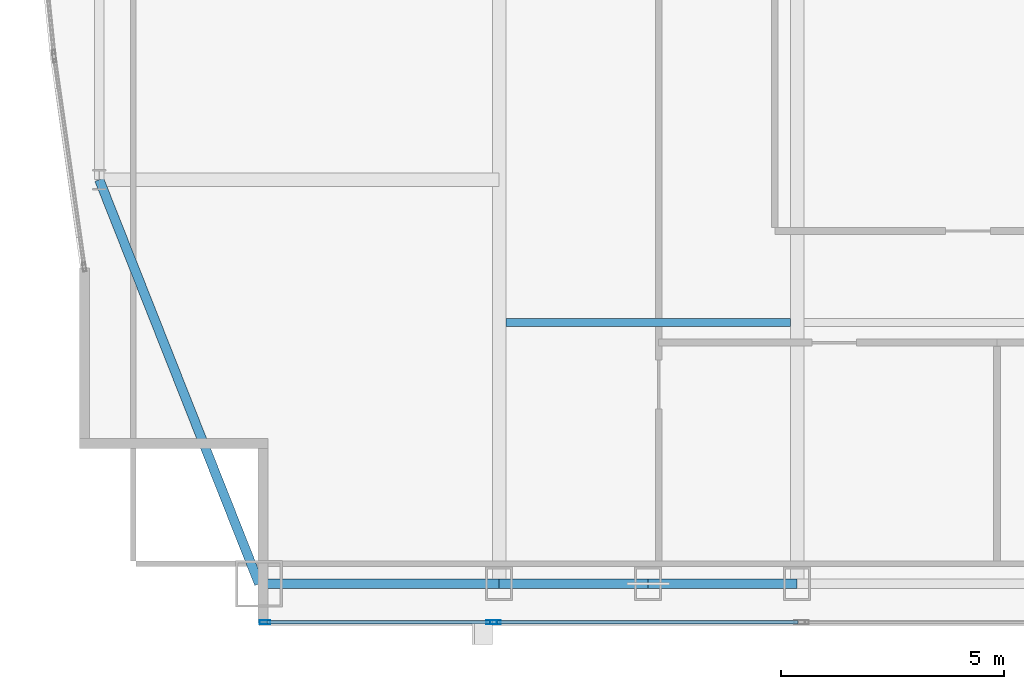
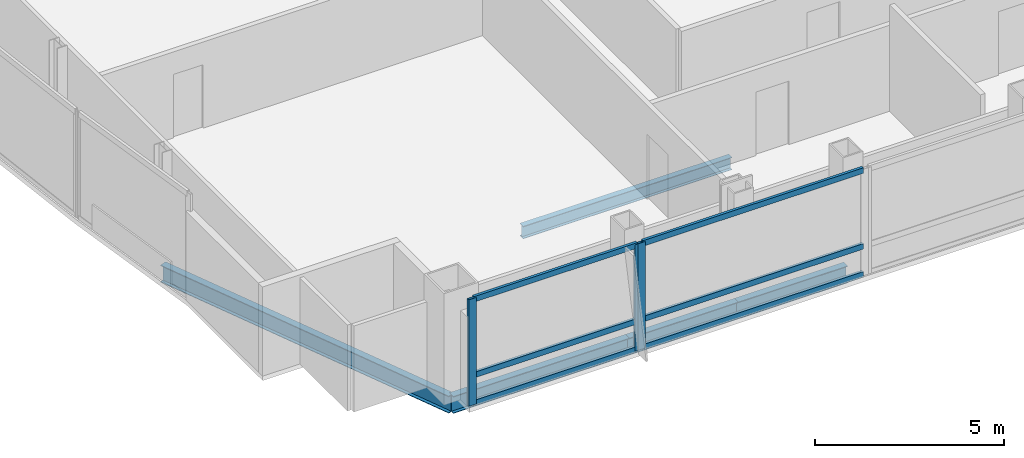
# One storey, part 5 of 30: 9 members, 5 beams, 2 elements without a shape of their own.
"""IFC4 building model written with IfcOpenShell, lengths in metres."""

from ifc_helpers import new_model, si_unit, direction, frame, origin, origin_2d, place, context, subcontext, project, spatial, hollow_rectangle, i_section, extrude, material, material_profile, profile_set, type_object, element, aggregate, save


model = new_model("IFC4")

# Units and contexts
model_context = context("Model", 3, precision=1e-05, world=origin(), true_north=direction((0.0, 1.0)))
body_context = subcontext(model_context, "Body", "Model", "MODEL_VIEW")
ifc_project = project(units=[si_unit("LENGTHUNIT", "METRE"), si_unit("AREAUNIT", "SQUARE_METRE"), si_unit("VOLUMEUNIT", "CUBIC_METRE"), si_unit("PLANEANGLEUNIT", "RADIAN"), si_unit("MASSUNIT", "GRAM", prefix="KILO")], contexts=[model_context])

# Site, building, storey
site_placement = place(None, origin())
site = spatial("IfcSite", under=ifc_project, at=site_placement, CompositionType="ELEMENT")
building_placement = place(site_placement, origin())
building = spatial("IfcBuilding", under=site, at=building_placement, Name="Khoronbel Lancet Exchange", CompositionType="ELEMENT")
storey_placement = place(building_placement, frame((0.0, 0.0, 280.60009765625)))
storey = spatial("IfcBuildingStorey", under=building, at=storey_placement, Name="L72", CompositionType="ELEMENT", Elevation=280.60009765625)

# Beams
ifc_material_1 = material(Name="Steel S355", Category="steel")
ifc_material_profile_1 = material_profile(ifc_material_1, i_section(OverallWidth=0.179931640625, OverallDepth=0.39990234375, WebThickness=0.008544921875, FlangeThickness=0.013427734375, at=origin_2d()), Name="IPE 400")
ifc_profile_set_1 = profile_set([ifc_material_profile_1], Name="Steel S355")
beam_type_1 = type_object("IfcBeamType", Name="BM-BJ5", PredefinedType="JOIST", material=ifc_profile_set_1)
beam_1_placement = place(storey_placement, frame((18.375, 16.0, -0.360107421875), z_axis=(1.0, 0.0, 0.0), x_axis=(0.0, 1.0, 0.0)))
element("IfcBeam", 1, at=beam_1_placement, inside=storey, type_object=beam_type_1, Name="Level L72 secondary composite joist J01", PredefinedType="JOIST", context=body_context, shape_type="SweptSolid", body=[
    extrude(i_section(OverallWidth=0.179931640625, OverallDepth=0.39990234375, WebThickness=0.008544921875, FlangeThickness=0.013427734375, at=origin_2d()), origin(), (0.0, 0.0, 1.0), 6.375),
])
ifc_material_profile_2 = material_profile(ifc_material_1, i_section(OverallWidth=0.2099609375, OverallDepth=0.550048828125, WebThickness=0.010986328125, FlangeThickness=0.01708984375, at=origin_2d()), Name="IPE 550")
ifc_profile_set_2 = profile_set([ifc_material_profile_2], Name="Steel S355")
beam_type_2 = type_object("IfcBeamType", Name="BM-BSP3", PredefinedType="SPANDREL", material=ifc_profile_set_2)
beam_2_placement = place(storey_placement, frame((12.85009765625, 10.14990234375, -0.43505859375), z_axis=(1.0, 0.0, 0.0), x_axis=(0.0, 1.0, 0.0)))
element("IfcBeam", 2, at=beam_2_placement, inside=storey, type_object=beam_type_2, Name="Level L72 perimeter spandrel beam SP01", PredefinedType="SPANDREL", context=body_context, shape_type="SweptSolid", body=[
    extrude(i_section(OverallWidth=0.2099609375, OverallDepth=0.550048828125, WebThickness=0.010986328125, FlangeThickness=0.01708984375, at=origin_2d()), origin(), (0.0, 0.0, 1.0), 5.375),
])
for number, where, z_axis, x_axis, name in (
    (3, (18.22509765625, 10.14990234375, -0.43505859375), (1.0, 0.0, 0.0), (0.0, 1.0, 0.0), "Level L72 perimeter spandrel beam SP02"),
    (4, (21.5625, 10.14990234375, -0.43505859375), (1.0, 0.0, 0.0), (0.0, 1.0, 0.0), "Level L72 perimeter spandrel beam SP03"),
):
    element("IfcBeam", number, at=place(storey_placement, frame(where, z_axis=z_axis, x_axis=x_axis)), inside=storey, type_object=beam_type_2, Name=name, PredefinedType="SPANDREL", context=body_context, shape_type="SweptSolid", body=[
        extrude(i_section(OverallWidth=0.2099609375, OverallDepth=0.550048828125, WebThickness=0.010986328125, FlangeThickness=0.01708984375, at=origin_2d()), origin(), (0.0, 0.0, 1.0), 3.33740234375),
    ])
beam_3_placement = place(storey_placement, frame((9.27001953125, 19.199951171875, -0.43505859375), z_axis=(0.367850095026, -0.92988510451, 0.0), x_axis=(0.92988510451, 0.367850095026, 0.0)))
element("IfcBeam", 5, at=beam_3_placement, inside=storey, type_object=beam_type_2, Name="Level L72 perimeter spandrel beam SP21", PredefinedType="SPANDREL", context=body_context, shape_type="SweptSolid", body=[
    extrude(i_section(OverallWidth=0.2099609375, OverallDepth=0.550048828125, WebThickness=0.010986328125, FlangeThickness=0.01708984375, at=origin_2d()), origin(), (0.0, 0.0, 1.0), 9.732421875),
])

# Curtain wall, members
ifc_material_2 = material(Name="Low-E Solar Control Insulating Glass", Category="glass")
curtain_wall_type = type_object("IfcCurtainWallType", Name="CW-3", PredefinedType="NOTDEFINED", material=ifc_material_2)
curtain_wall_1_placement = place(storey_placement, origin())
curtain_wall_1 = element("IfcCurtainWall", 6, at=curtain_wall_1_placement, inside=storey, type_object=curtain_wall_type, Name="Unitised curtain wall CW-L72-SWV", PredefinedType="NOTDEFINED")
ifc_material_3 = material(Name="Bronze-Anodised Aluminium 6063-T6", Category="aluminium")
ifc_material_profile_3 = material_profile(ifc_material_3, hollow_rectangle(XDim=0.0849609375, YDim=0.239990234375, WallThickness=0.006103515625, at=origin_2d()), Name="ALU MULLION 85x240")
ifc_profile_set_3 = profile_set([ifc_material_profile_3], Name="Bronze-Anodised Aluminium 6063-T6")
member_type_1 = type_object("IfcMemberType", Name="MEM-CWM1", PredefinedType="MULLION", material=ifc_profile_set_3)
member_1_placement = place(storey_placement, frame((12.982421875, 9.2900390625, 0.0), z_axis=(0.0, 0.0, 1.0), x_axis=(0.0, 1.0, 0.0)))
member_1 = element("IfcMember", 7, at=member_1_placement, type_object=member_type_1, Name="CW3 mullion 1", PredefinedType="MULLION", context=body_context, shape_type="SweptSolid", body=[
    extrude(hollow_rectangle(XDim=0.0849609375, YDim=0.239990234375, WallThickness=0.006103515625, at=origin_2d()), origin(), (0.0, 0.0, 1.0), 3.43994140625),
])
member_2_placement = place(storey_placement, frame((18.0576171875, 9.2900390625, 0.0), z_axis=(0.0, 0.0, 1.0), x_axis=(0.0, 1.0, 0.0)))
member_2 = element("IfcMember", 8, at=member_2_placement, type_object=member_type_1, Name="CW3 mullion 2", PredefinedType="MULLION", context=body_context, shape_type="SweptSolid", body=[
    extrude(hollow_rectangle(XDim=0.0849609375, YDim=0.239990234375, WallThickness=0.006103515625, at=origin_2d()), origin(), (0.0, 0.0, 1.0), 3.43994140625),
])

# Curtain wall, member
curtain_wall_2_placement = place(storey_placement, origin())
curtain_wall_2 = element("IfcCurtainWall", 9, at=curtain_wall_2_placement, inside=storey, type_object=curtain_wall_type, Name="Unitised curtain wall CW-L72-SWB", PredefinedType="NOTDEFINED")
member_3_placement = place(storey_placement, frame((18.142578125, 9.2900390625, 0.0), z_axis=(0.0, 0.0, 1.0), x_axis=(0.0, 1.0, 0.0)))
member_3 = element("IfcMember", 10, at=member_3_placement, type_object=member_type_1, Name="CW3 mullion 1", PredefinedType="MULLION", context=body_context, shape_type="SweptSolid", body=[
    extrude(hollow_rectangle(XDim=0.0849609375, YDim=0.239990234375, WallThickness=0.006103515625, at=origin_2d()), origin(), (0.0, 0.0, 1.0), 3.43994140625),
])

# Member
ifc_material_profile_4 = material_profile(ifc_material_3, hollow_rectangle(XDim=0.0849609375, YDim=0.179931640625, WallThickness=0.0048828125, at=origin_2d()), Name="ALU TRANSOM 85x180")
ifc_profile_set_4 = profile_set([ifc_material_profile_4], Name="Bronze-Anodised Aluminium 6063-T6")
member_type_2 = type_object("IfcMemberType", Name="MEM-CWT1", PredefinedType="USERDEFINED", material=ifc_profile_set_4)
member_4_placement = place(storey_placement, frame((13.02490234375, 9.2900390625, 0.04248046875), z_axis=(1.0, 0.0, 0.0), x_axis=(0.0, 1.0, 0.0)))
member_4 = element("IfcMember", 11, at=member_4_placement, type_object=member_type_2, Name="CW3 transom 1.1", ObjectType="TRANSOM", PredefinedType="USERDEFINED", context=body_context, shape_type="SweptSolid", body=[
    extrude(hollow_rectangle(XDim=0.0849609375, YDim=0.179931640625, WallThickness=0.0048828125, at=origin_2d()), origin(), (0.0, 0.0, 1.0), 4.989990234375),
])

member_5_placement = place(storey_placement, frame((13.02490234375, 9.2900390625, 0.949951171875), z_axis=(1.0, 0.0, 0.0), x_axis=(0.0, 1.0, 0.0)))
member_5 = element("IfcMember", 12, at=member_5_placement, type_object=member_type_2, Name="CW3 transom 1.2", ObjectType="TRANSOM", PredefinedType="USERDEFINED", context=body_context, shape_type="SweptSolid", body=[
    extrude(hollow_rectangle(XDim=0.0849609375, YDim=0.179931640625, WallThickness=0.0048828125, at=origin_2d()), origin(), (0.0, 0.0, 1.0), 4.989990234375),
])

member_6_placement = place(storey_placement, frame((13.02490234375, 9.2900390625, 3.3974609375), z_axis=(1.0, 0.0, 0.0), x_axis=(0.0, 1.0, 0.0)))
member_6 = element("IfcMember", 13, at=member_6_placement, type_object=member_type_2, Name="CW3 transom 1.3", ObjectType="TRANSOM", PredefinedType="USERDEFINED", context=body_context, shape_type="SweptSolid", body=[
    extrude(hollow_rectangle(XDim=0.0849609375, YDim=0.179931640625, WallThickness=0.0048828125, at=origin_2d()), origin(), (0.0, 0.0, 1.0), 4.989990234375),
])

aggregate(curtain_wall_1, [member_1, member_2, member_4, member_5, member_6])

member_7_placement = place(storey_placement, frame((18.18505859375, 9.2900390625, 0.04248046875), z_axis=(1.0, 0.0, 0.0), x_axis=(0.0, 1.0, 0.0)))
member_7 = element("IfcMember", 14, at=member_7_placement, type_object=member_type_2, Name="CW3 transom 1.1", ObjectType="TRANSOM", PredefinedType="USERDEFINED", context=body_context, shape_type="SweptSolid", body=[
    extrude(hollow_rectangle(XDim=0.0849609375, YDim=0.179931640625, WallThickness=0.0048828125, at=origin_2d()), origin(), (0.0, 0.0, 1.0), 6.72998046875),
])

member_8_placement = place(storey_placement, frame((18.18505859375, 9.2900390625, 0.949951171875), z_axis=(1.0, 0.0, 0.0), x_axis=(0.0, 1.0, 0.0)))
member_8 = element("IfcMember", 15, at=member_8_placement, type_object=member_type_2, Name="CW3 transom 1.2", ObjectType="TRANSOM", PredefinedType="USERDEFINED", context=body_context, shape_type="SweptSolid", body=[
    extrude(hollow_rectangle(XDim=0.0849609375, YDim=0.179931640625, WallThickness=0.0048828125, at=origin_2d()), origin(), (0.0, 0.0, 1.0), 6.72998046875),
])

member_9_placement = place(storey_placement, frame((18.18505859375, 9.2900390625, 3.3974609375), z_axis=(1.0, 0.0, 0.0), x_axis=(0.0, 1.0, 0.0)))
member_9 = element("IfcMember", 16, at=member_9_placement, type_object=member_type_2, Name="CW3 transom 1.3", ObjectType="TRANSOM", PredefinedType="USERDEFINED", context=body_context, shape_type="SweptSolid", body=[
    extrude(hollow_rectangle(XDim=0.0849609375, YDim=0.179931640625, WallThickness=0.0048828125, at=origin_2d()), origin(), (0.0, 0.0, 1.0), 6.72998046875),
])

aggregate(curtain_wall_2, [member_3, member_7, member_8, member_9])

save(model, "model.ifc")
